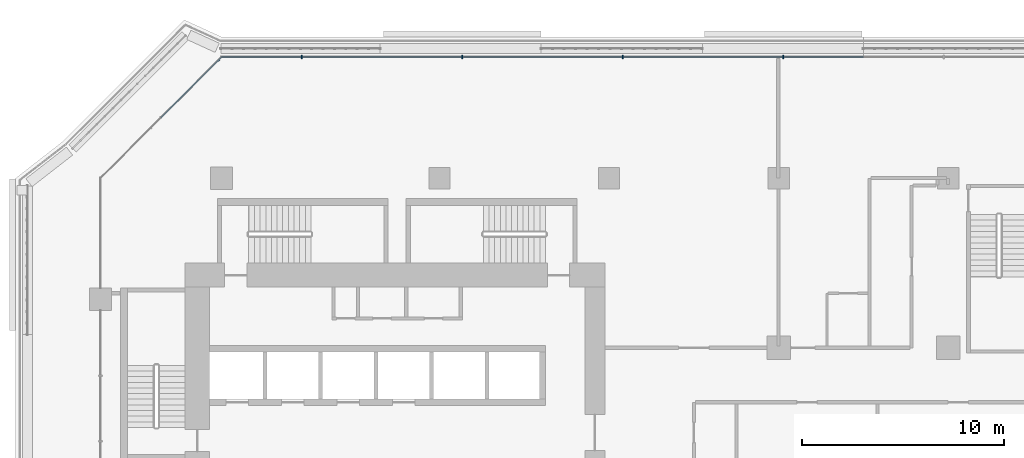
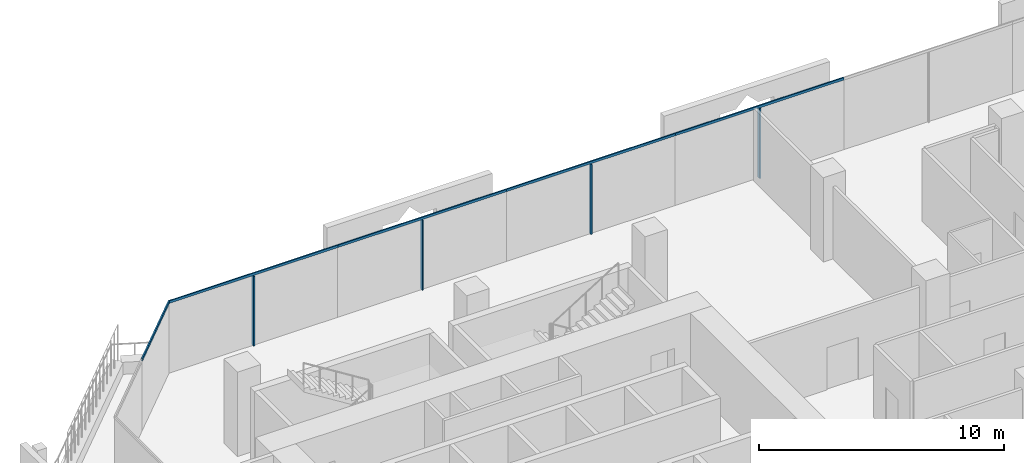
# One storey, part 8 of 25: 9 members, 2 elements without a shape of their own.
"""IFC4 building model written with IfcOpenShell, lengths in metres."""

from ifc_helpers import new_model, si_unit, direction, frame, origin, origin_2d, place, context, subcontext, project, spatial, rectangle, extrude, material, layer, layer_set, material_profile, profile_set, type_object, element, aggregate, save


model = new_model("IFC4")

# Units and contexts
model_context = context("Model", 3, precision=1e-05, world=origin(), true_north=direction((0.0, 1.0)))
body_context = subcontext(model_context, "Body", "Model", "MODEL_VIEW")
ifc_project = project(units=[si_unit("LENGTHUNIT", "METRE"), si_unit("AREAUNIT", "SQUARE_METRE"), si_unit("VOLUMEUNIT", "CUBIC_METRE"), si_unit("PLANEANGLEUNIT", "RADIAN"), si_unit("MASSUNIT", "GRAM", prefix="KILO")], contexts=[model_context])

# Site, building, storey
site_placement = place(None, origin())
site = spatial("IfcSite", under=ifc_project, at=site_placement, CompositionType="ELEMENT")
building_placement = place(site_placement, origin())
building = spatial("IfcBuilding", under=site, at=building_placement, Name="Kawkab Arch Medical Tower", CompositionType="ELEMENT")
storey_placement = place(building_placement, frame((0.0, 0.0, 136.60009765625)))
storey = spatial("IfcBuildingStorey", under=building, at=storey_placement, Name="L31", CompositionType="ELEMENT", Elevation=136.60009765625)

# Curtain wall, members
ifc_material_1 = material(Name="Bronze anodised aluminium curtain wall frame", Category="aluminium")
ifc_layer_1 = layer(ifc_material_1, 0.159912109375)
ifc_layer_set_1 = layer_set([ifc_layer_1], Name="Bronze anodised aluminium curtain wall frame")
curtain_wall_type_1 = type_object("IfcCurtainWallType", Name="CW1 ward curtain wall", PredefinedType="NOTDEFINED", material=ifc_layer_set_1)
placement = place(storey_placement, origin())
curtain_wall_1 = element("IfcCurtainWall", 1, at=placement, inside=storey, type_object=curtain_wall_type_1, Name="CW1 Ward curtain wall R11", PredefinedType="NOTDEFINED")
ifc_material_2 = material(Name="Bronze anodised aluminium curtain wall frame", Category="aluminium")
ifc_material_profile_1 = material_profile(ifc_material_2, rectangle(XDim=0.179931640625, YDim=0.06005859375, at=origin_2d()), Name="AL 60x180")
ifc_profile_set_1 = profile_set([ifc_material_profile_1], Name="Bronze anodised aluminium curtain wall frame")
member_type_1 = type_object("IfcMemberType", Name="CW1 mullion 60 x 180", PredefinedType="MULLION", material=ifc_profile_set_1)
member_1_placement = place(storey_placement, frame((33.824951171875, 6.0, 0.0), z_axis=(0.0, 0.0, 1.0), x_axis=(0.0, -1.0, 0.0)))
member_1 = element("IfcMember", 2, at=member_1_placement, type_object=member_type_1, Name="CW1 mullion 5.1", PredefinedType="MULLION", context=body_context, shape_type="SweptSolid", body=[
    extrude(rectangle(XDim=0.179931640625, YDim=0.06005859375, at=origin_2d()), origin(), (0.0, 0.0, 1.0), 3.47998046875),
])
member_2_placement = place(storey_placement, frame((25.875, 6.0, 0.0), z_axis=(0.0, 0.0, 1.0), x_axis=(0.0, -1.0, 0.0)))
member_2 = element("IfcMember", 3, at=member_2_placement, type_object=member_type_1, Name="CW1 mullion 6.1", PredefinedType="MULLION", context=body_context, shape_type="SweptSolid", body=[
    extrude(rectangle(XDim=0.179931640625, YDim=0.06005859375, at=origin_2d()), origin(), (0.0, 0.0, 1.0), 3.47998046875),
])
member_3_placement = place(storey_placement, frame((17.925048828125, 6.0, 0.0), z_axis=(0.0, 0.0, 1.0), x_axis=(0.0, -1.0, 0.0)))
member_3 = element("IfcMember", 4, at=member_3_placement, type_object=member_type_1, Name="CW1 mullion 7.1", PredefinedType="MULLION", context=body_context, shape_type="SweptSolid", body=[
    extrude(rectangle(XDim=0.179931640625, YDim=0.06005859375, at=origin_2d()), origin(), (0.0, 0.0, 1.0), 3.47998046875),
])
member_4_placement = place(storey_placement, frame((9.97509765625, 6.0, 0.0), z_axis=(0.0, 0.0, 1.0), x_axis=(0.0, -1.0, 0.0)))
member_4 = element("IfcMember", 5, at=member_4_placement, type_object=member_type_1, Name="CW1 mullion 8.1", PredefinedType="MULLION", context=body_context, shape_type="SweptSolid", body=[
    extrude(rectangle(XDim=0.179931640625, YDim=0.06005859375, at=origin_2d()), origin(), (0.0, 0.0, 1.0), 3.47998046875),
])
ifc_material_3 = material(Name="Bronze anodised aluminium curtain wall frame", Category="aluminium")
ifc_material_profile_2 = material_profile(ifc_material_3, rectangle(XDim=0.06005859375, YDim=0.1201171875, at=origin_2d()), Name="AL 60x120")
ifc_profile_set_2 = profile_set([ifc_material_profile_2], Name="Bronze anodised aluminium curtain wall frame")
member_type_2 = type_object("IfcMemberType", Name="CW1 transom 120 x 60", PredefinedType="USERDEFINED", material=ifc_profile_set_2)
member_5_placement = place(storey_placement, frame((37.800048828125, 6.0, 3.539794921875), z_axis=(-1.0, 0.0, 0.0), x_axis=(0.0, -1.0, 0.0)))
member_5 = element("IfcMember", 6, at=member_5_placement, type_object=member_type_2, Name="CW1 transom 5", ObjectType="TRANSOM", PredefinedType="USERDEFINED", context=body_context, shape_type="SweptSolid", body=[
    extrude(rectangle(XDim=0.06005859375, YDim=0.1201171875, at=origin_2d()), origin(), (0.0, 0.0, 1.0), 7.949951171875),
])
member_6_placement = place(storey_placement, frame((29.85009765625, 6.0, 3.539794921875), z_axis=(-1.0, 0.0, 0.0), x_axis=(0.0, -1.0, 0.0)))
member_6 = element("IfcMember", 7, at=member_6_placement, type_object=member_type_2, Name="CW1 transom 6", ObjectType="TRANSOM", PredefinedType="USERDEFINED", context=body_context, shape_type="SweptSolid", body=[
    extrude(rectangle(XDim=0.06005859375, YDim=0.1201171875, at=origin_2d()), origin(), (0.0, 0.0, 1.0), 7.9501953125),
])
member_7_placement = place(storey_placement, frame((21.89990234375, 6.0, 3.539794921875), z_axis=(-1.0, 0.0, 0.0), x_axis=(0.0, -1.0, 0.0)))
member_7 = element("IfcMember", 8, at=member_7_placement, type_object=member_type_2, Name="CW1 transom 7", ObjectType="TRANSOM", PredefinedType="USERDEFINED", context=body_context, shape_type="SweptSolid", body=[
    extrude(rectangle(XDim=0.06005859375, YDim=0.1201171875, at=origin_2d()), origin(), (0.0, 0.0, 1.0), 7.949951171875),
])
member_8_placement = place(storey_placement, frame((13.949951171875, 6.0, 3.539794921875), z_axis=(-1.0, 0.0, 0.0), x_axis=(0.0, -1.0, 0.0)))
member_8 = element("IfcMember", 9, at=member_8_placement, type_object=member_type_2, Name="CW1 transom 8", ObjectType="TRANSOM", PredefinedType="USERDEFINED", context=body_context, shape_type="SweptSolid", body=[
    extrude(rectangle(XDim=0.06005859375, YDim=0.1201171875, at=origin_2d()), origin(), (0.0, 0.0, 1.0), 7.949951171875),
])
aggregate(curtain_wall_1, [member_5, member_1, member_6, member_2, member_7, member_3, member_8, member_4])

# Curtain wall, member
ifc_material_4 = material(Name="Bronze anodised aluminium curtain wall frame", Category="aluminium")
ifc_layer_2 = layer(ifc_material_4, 0.159912109375)
ifc_layer_set_2 = layer_set([ifc_layer_2], Name="Bronze anodised aluminium curtain wall frame")
curtain_wall_type_2 = type_object("IfcCurtainWallType", Name="CW2 chamfer curtain wall", PredefinedType="NOTDEFINED", material=ifc_layer_set_2)
curtain_wall_2 = element("IfcCurtainWall", 10, at=placement, inside=storey, type_object=curtain_wall_type_2, Name="CW2 Chamfer curtain wall R12", PredefinedType="NOTDEFINED")
ifc_material_5 = material(Name="Bronze anodised aluminium curtain wall frame", Category="aluminium")
ifc_material_profile_3 = material_profile(ifc_material_5, rectangle(XDim=0.06005859375, YDim=0.139892578125, at=origin_2d()), Name="AL 60x140")
ifc_profile_set_3 = profile_set([ifc_material_profile_3], Name="Bronze anodised aluminium curtain wall frame")
member_type_3 = type_object("IfcMemberType", Name="CW2 transom 140 x 60", PredefinedType="USERDEFINED", material=ifc_profile_set_3)
member_9_placement = place(storey_placement, frame((6.0, 6.0, 3.52978515625), z_axis=(-0.707106781187, -0.707106781187, 0.0), x_axis=(0.707106781187, -0.707106781187, 0.0)))
member_9 = element("IfcMember", 11, at=member_9_placement, type_object=member_type_3, Name="CW2 transom 1", ObjectType="TRANSOM", PredefinedType="USERDEFINED", context=body_context, shape_type="SweptSolid", body=[
    extrude(rectangle(XDim=0.06005859375, YDim=0.139892578125, at=origin_2d()), origin(), (0.0, 0.0, 1.0), 4.24267578125),
])
aggregate(curtain_wall_2, [member_9])

save(model, "model.ifc")
